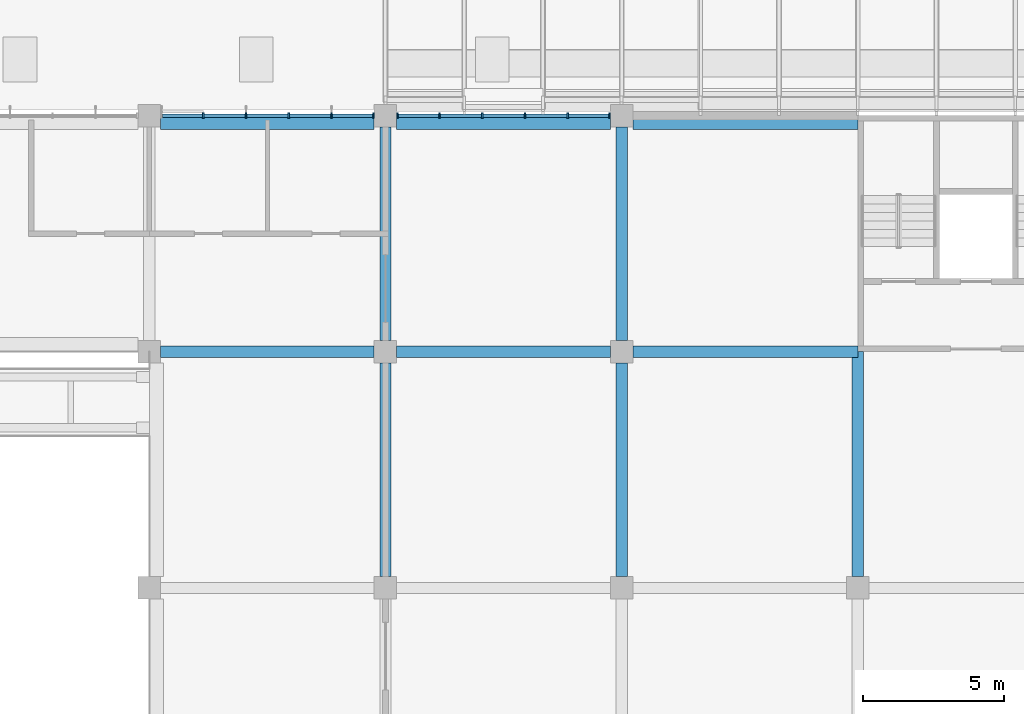
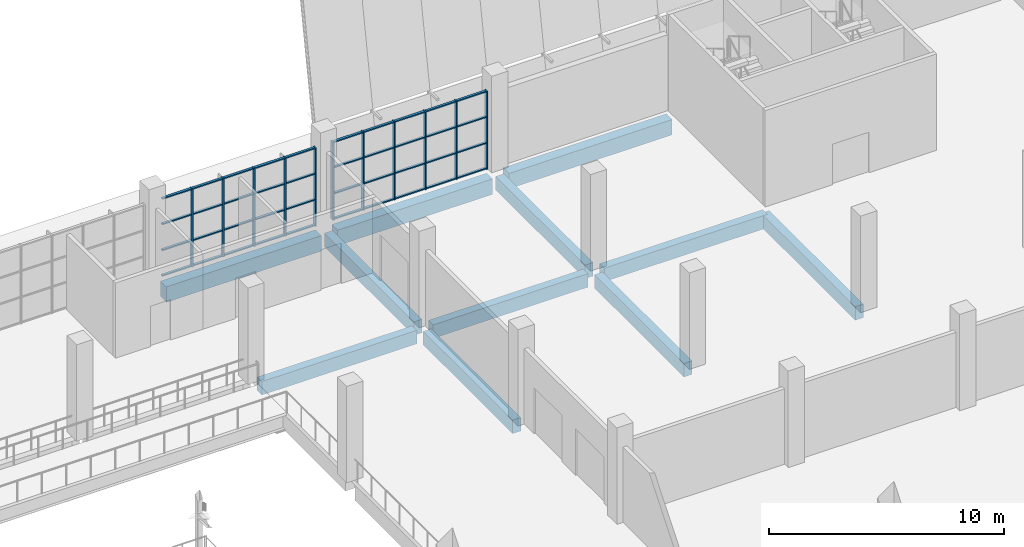
# One storey, part 18 of 101: 51 members, 11 beams, 2 elements without a shape of their own.
"""IFC4 building model written with IfcOpenShell, lengths in metres."""

import ifcopenshell
import ifcopenshell.guid

model = None  # the IFC model being written
_history = None  # IfcOwnerHistory: only IFC2X3 demands one
_inside = {}  # id of a spatial element -> (the spatial element, [elements in it])
_under = {}  # id of a project, library or spatial element -> (it, [spatial elements below it])
_declared = {}  # id of a project -> (the project, [libraries it declares])
_typed = {}  # id of a type object -> (the type object, [elements of that type])
_made_of = {}  # id of a material, layer set ... -> (it, [elements and type objects made of it])


def new_model(schema):
    """Start an empty IFC model of exactly this schema.

    Asked for "IFC4X3", IfcOpenShell would pick the latest addendum, in which some entities
    have other attributes; the version numbers below select the first issue.
    IFC2X3 requires an IfcOwnerHistory on every rooted entity: one is made here for all.
    """
    global model, _history
    if schema == "IFC4X3":
        model = ifcopenshell.file(schema_version=(4, 3, 0, 0))
    else:
        model = ifcopenshell.file(schema=schema)
    _inside.clear()
    _under.clear()
    _declared.clear()
    _typed.clear()
    _made_of.clear()
    _history = None
    if model.schema == "IFC2X3":
        org = make("IfcOrganization", Name="unknown")
        user = make(
            "IfcPersonAndOrganization",
            ThePerson=make("IfcPerson", FamilyName="unknown"),
            TheOrganization=org,
        )
        app = make(
            "IfcApplication",
            ApplicationDeveloper=org,
            Version="unknown",
            ApplicationFullName="unknown",
            ApplicationIdentifier="unknown",
        )
        _history = make(
            "IfcOwnerHistory",
            OwningUser=user,
            OwningApplication=app,
            ChangeAction="ADDED",
            CreationDate=0,
        )
    return model


def make(cls, **values):
    """One entity of the class cls with the attributes given. An attribute that is None is left unset."""
    return model.create_entity(
        cls, **{name: value for name, value in values.items() if value is not None}
    )


def rooted(cls, **values):
    """An entity with a GlobalId (a new one), such as an element, a storey or a relation."""
    return make(cls, GlobalId=ifcopenshell.guid.new(), OwnerHistory=_history, **values)


def si_unit(unit_type, name, prefix=None):
    """IfcSIUnit, for example si_unit("LENGTHUNIT", "METRE", prefix="MILLI")."""
    return make("IfcSIUnit", UnitType=unit_type, Prefix=prefix, Name=name)


def assignment(units):
    """IfcUnitAssignment: the units of a project."""
    return None if units is None else make("IfcUnitAssignment", Units=units)


def point(xyz):
    """IfcCartesianPoint."""
    return None if xyz is None else make("IfcCartesianPoint", Coordinates=xyz)


def direction(xyz):
    """IfcDirection."""
    return None if xyz is None else make("IfcDirection", DirectionRatios=xyz)


def frame(location, z_axis=None, x_axis=None):
    """IfcAxis2Placement3D, a coordinate frame: its origin and axes. An axis left out is left unset."""
    return make(
        "IfcAxis2Placement3D",
        Location=point(location),
        Axis=direction(z_axis),
        RefDirection=direction(x_axis),
    )


def frame_2d(location, x_axis=None):
    """IfcAxis2Placement2D, a coordinate frame in the plane: its origin and x axis."""
    return make(
        "IfcAxis2Placement2D", Location=point(location), RefDirection=direction(x_axis)
    )


def origin():
    """The frame at (0, 0, 0) with its axes left unset."""
    return frame((0.0, 0.0, 0.0))


def origin_2d():
    """The frame at (0, 0) in the plane with its x axis left unset."""
    return frame_2d((0.0, 0.0))


def place(relative_to, where):
    """IfcLocalPlacement: puts the frame where relative to a parent placement (None: the world)."""
    return make(
        "IfcLocalPlacement", PlacementRelTo=relative_to, RelativePlacement=where
    )


def context(
    kind, dimensions, precision=None, world=None, true_north=None, identifier=None
):
    """IfcGeometricRepresentationContext, for example the 3D "Model" context."""
    return make(
        "IfcGeometricRepresentationContext",
        ContextIdentifier=identifier,
        ContextType=kind,
        CoordinateSpaceDimension=dimensions,
        Precision=precision,
        WorldCoordinateSystem=world,
        TrueNorth=true_north,
    )


def subcontext(parent, identifier, kind, view, scale=None):
    """IfcGeometricRepresentationSubContext, for example "Body" below "Model"."""
    return make(
        "IfcGeometricRepresentationSubContext",
        ContextIdentifier=identifier,
        ContextType=kind,
        ParentContext=parent,
        TargetScale=scale,
        TargetView=view,
    )


def project(units=None, contexts=None):
    """IfcProject with its units and contexts."""
    return rooted(
        "IfcProject",
        Name="project",
        RepresentationContexts=contexts,
        UnitsInContext=assignment(units),
    )


def spatial(cls, under=None, at=None, **own):
    """A site, building, storey or space (cls), placed at a placement, below another one or the project."""
    s = rooted(cls, ObjectPlacement=at, **own)
    if under is not None:
        _under.setdefault(under.id(), (under, []))[1].append(s)
    return s


def profile(cls, at=None, kind="AREA", **sizes):
    """A parametric profile (cls). Its sizes go by their IFC names, for example OverallWidth=200.0."""
    return make(cls, ProfileType=kind, Position=at, **sizes)


def rectangle(**sizes):
    """IfcRectangleProfileDef."""
    return profile("IfcRectangleProfileDef", **sizes)


def extrude(swept, where, along, depth):
    """IfcExtrudedAreaSolid: the profile swept, set in the frame where, extruded along a direction by depth."""
    return make(
        "IfcExtrudedAreaSolid",
        SweptArea=swept,
        Position=where,
        ExtrudedDirection=direction(along),
        Depth=depth,
    )


def shape(context_of_items, identifier, shape_type, items):
    """IfcShapeRepresentation: the items that make up one representation, for example the "Body"."""
    return make(
        "IfcShapeRepresentation",
        ContextOfItems=context_of_items,
        RepresentationIdentifier=identifier,
        RepresentationType=shape_type,
        Items=items,
    )


def material(Name=None, Category=None):
    """IfcMaterial."""
    return make("IfcMaterial", Name=Name, Category=Category)


def material_profile(
    of_material, cross_section, Name=None, Category=None, Priority=None
):
    """IfcMaterialProfile: a cross section and its material."""
    return make(
        "IfcMaterialProfile",
        Name=Name,
        Material=of_material,
        Profile=cross_section,
        Priority=Priority,
        Category=Category,
    )


def profile_set(profiles, Name=None, composite=None):
    """IfcMaterialProfileSet."""
    return make(
        "IfcMaterialProfileSet",
        Name=Name,
        MaterialProfiles=profiles,
        CompositeProfile=composite,
    )


def made_of(thing, what):
    """Note that an element or type object is made of a material, layer set ...; save() writes the relation."""
    if what is not None:
        _made_of.setdefault(what.id(), (what, []))[1].append(thing)
    return thing


def type_object(cls, material=None, **own):
    """A type object (cls), such as IfcWallType, which elements share."""
    return made_of(rooted(cls, **own), material)


def element(
    cls,
    number,
    at=None,
    inside=None,
    cuts=None,
    type_object=None,
    material=None,
    context=None,
    identifier="Body",
    shape_type=None,
    held_by="IfcProductDefinitionShape",
    body=None,
    shapes=None,
    **own,
):
    """One element of the class cls, such as IfcWall. Its Tag is "e" and its number.

    at: its placement. inside: the storey or other place that contains it. cuts: it is an
    opening in that element (IfcRelVoidsElement). A single representation is given by context,
    identifier, shape_type and body (its items); several are given by shapes. held_by: the class
    of the entity that holds the representations. save() writes the other relations.
    """
    e = rooted(cls, Tag="e%d" % number, ObjectPlacement=at, **own)
    if body is not None:
        shapes = [shape(context, identifier, shape_type, body)]
    if shapes is not None:
        e.Representation = make(held_by, Representations=shapes)
    if inside is not None:
        _inside.setdefault(inside.id(), (inside, []))[1].append(e)
    if cuts is not None:
        rooted(
            "IfcRelVoidsElement", RelatingBuildingElement=cuts, RelatedOpeningElement=e
        )
    if type_object is not None:
        _typed.setdefault(type_object.id(), (type_object, []))[1].append(e)
    return made_of(e, material)


def aggregate(whole, parts):
    """IfcRelAggregates: a whole, such as a stair, and the parts it consists of."""
    return rooted("IfcRelAggregates", RelatingObject=whole, RelatedObjects=parts)


def save(model, path):
    """Write the relations noted so far, then the file.

    IfcRelAggregates (storeys below a building ...), IfcRelContainedInSpatialStructure (elements
    in a storey), IfcRelDefinesByType, IfcRelAssociatesMaterial and IfcRelDeclares: one each for
    every whole, place, type object, material and project.
    """
    for whole, parts in _under.values():
        aggregate(whole, parts)
    for where, things in _inside.values():
        rooted(
            "IfcRelContainedInSpatialStructure",
            RelatedElements=things,
            RelatingStructure=where,
        )
    for kind, things in _typed.values():
        rooted("IfcRelDefinesByType", RelatedObjects=things, RelatingType=kind)
    for what, things in _made_of.values():
        rooted("IfcRelAssociatesMaterial", RelatedObjects=things, RelatingMaterial=what)
    for by, libraries in _declared.values():
        rooted("IfcRelDeclares", RelatingContext=by, RelatedDefinitions=libraries)
    model.write(path)


model = new_model("IFC4")

# Units and contexts
model_context = context("Model", 3, precision=1e-05, world=origin(), true_north=direction((0.0, 1.0)))
body_context = subcontext(model_context, "Body", "Model", "MODEL_VIEW")
ifc_project = project(units=[si_unit("LENGTHUNIT", "METRE"), si_unit("AREAUNIT", "SQUARE_METRE"), si_unit("VOLUMEUNIT", "CUBIC_METRE"), si_unit("PLANEANGLEUNIT", "RADIAN"), si_unit("MASSUNIT", "GRAM", prefix="KILO")], contexts=[model_context])

# Site, building, storey
site_placement = place(None, origin())
site = spatial("IfcSite", under=ifc_project, at=site_placement, CompositionType="ELEMENT")
building_placement = place(site_placement, origin())
building = spatial("IfcBuilding", under=site, at=building_placement, Name="Almond Square Museum", CompositionType="ELEMENT")
storey_placement = place(building_placement, frame((0.0, 0.0, 5.5)))
storey = spatial("IfcBuildingStorey", under=building, at=storey_placement, Name="L01", CompositionType="ELEMENT", Elevation=5.5)

# Curtain wall, members
ifc_material_1 = material(Name="Aluminium and laminated glass", Category="aluminium")
curtain_wall_type = type_object("IfcCurtainWallType", Name="Unitised curtain wall 1500 module", PredefinedType="NOTDEFINED", material=ifc_material_1)
curtain_wall_1_placement = place(storey_placement, origin())
curtain_wall_1 = element("IfcCurtainWall", 1, at=curtain_wall_1_placement, inside=storey, type_object=curtain_wall_type, Name="Curtain wall CW-07", PredefinedType="NOTDEFINED")
ifc_material_2 = material(Name="Anodised aluminium", Category="aluminium")
ifc_material_profile_1 = material_profile(ifc_material_2, rectangle(XDim=0.199951171875, YDim=0.06005859375, at=origin_2d()))
ifc_profile_set_1 = profile_set([ifc_material_profile_1], Name="Anodised aluminium")
member_type_1 = type_object("IfcMemberType", Name="Aluminium mullion 60 x 200", PredefinedType="MULLION", material=ifc_profile_set_1)
member_1_placement = place(storey_placement, frame((107.22998046875, 109.199951171875, 0.0), z_axis=(0.0, 0.0, 1.0), x_axis=(0.0, 1.0, 0.0)))
member_1 = element("IfcMember", 2, at=member_1_placement, type_object=member_type_1, Name="CW-07 mullion 1", PredefinedType="MULLION", context=body_context, shape_type="SweptSolid", body=[
    extrude(rectangle(XDim=0.199951171875, YDim=0.06005859375, at=origin_2d()), origin(), (0.0, 0.0, 1.0), 4.050048828125),
])
member_2_placement = place(storey_placement, frame((108.719970703125, 109.199951171875, 0.0), z_axis=(0.0, 0.0, 1.0), x_axis=(0.0, 1.0, 0.0)))
member_2 = element("IfcMember", 3, at=member_2_placement, type_object=member_type_1, Name="CW-07 mullion 2", PredefinedType="MULLION", context=body_context, shape_type="SweptSolid", body=[
    extrude(rectangle(XDim=0.199951171875, YDim=0.06005859375, at=origin_2d()), origin(), (0.0, 0.0, 1.0), 4.050048828125),
])
member_3_placement = place(storey_placement, frame((110.239990234375, 109.199951171875, 0.0), z_axis=(0.0, 0.0, 1.0), x_axis=(0.0, 1.0, 0.0)))
member_3 = element("IfcMember", 4, at=member_3_placement, type_object=member_type_1, Name="CW-07 mullion 3", PredefinedType="MULLION", context=body_context, shape_type="SweptSolid", body=[
    extrude(rectangle(XDim=0.199951171875, YDim=0.06005859375, at=origin_2d()), origin(), (0.0, 0.0, 1.0), 4.050048828125),
])
member_4_placement = place(storey_placement, frame((111.760009765625, 109.199951171875, 0.0), z_axis=(0.0, 0.0, 1.0), x_axis=(0.0, 1.0, 0.0)))
member_4 = element("IfcMember", 5, at=member_4_placement, type_object=member_type_1, Name="CW-07 mullion 4", PredefinedType="MULLION", context=body_context, shape_type="SweptSolid", body=[
    extrude(rectangle(XDim=0.199951171875, YDim=0.06005859375, at=origin_2d()), origin(), (0.0, 0.0, 1.0), 4.050048828125),
])
member_5_placement = place(storey_placement, frame((113.280029296875, 109.199951171875, 0.0), z_axis=(0.0, 0.0, 1.0), x_axis=(0.0, 1.0, 0.0)))
member_5 = element("IfcMember", 6, at=member_5_placement, type_object=member_type_1, Name="CW-07 mullion 5", PredefinedType="MULLION", context=body_context, shape_type="SweptSolid", body=[
    extrude(rectangle(XDim=0.199951171875, YDim=0.06005859375, at=origin_2d()), origin(), (0.0, 0.0, 1.0), 4.050048828125),
])
member_6_placement = place(storey_placement, frame((114.77001953125, 109.199951171875, 0.0), z_axis=(0.0, 0.0, 1.0), x_axis=(0.0, 1.0, 0.0)))
member_6 = element("IfcMember", 7, at=member_6_placement, type_object=member_type_1, Name="CW-07 mullion 6", PredefinedType="MULLION", context=body_context, shape_type="SweptSolid", body=[
    extrude(rectangle(XDim=0.199951171875, YDim=0.06005859375, at=origin_2d()), origin(), (0.0, 0.0, 1.0), 4.050048828125),
])

curtain_wall_2_placement = place(storey_placement, origin())
curtain_wall_2 = element("IfcCurtainWall", 8, at=curtain_wall_2_placement, inside=storey, type_object=curtain_wall_type, Name="Curtain wall CW-08", PredefinedType="NOTDEFINED")
member_7_placement = place(storey_placement, frame((100.320068359375, 109.199951171875, 0.0), z_axis=(0.0, 0.0, 1.0), x_axis=(0.0, 1.0, 0.0)))
member_7 = element("IfcMember", 9, at=member_7_placement, type_object=member_type_1, Name="CW-08 mullion 2", PredefinedType="MULLION", context=body_context, shape_type="SweptSolid", body=[
    extrude(rectangle(XDim=0.199951171875, YDim=0.06005859375, at=origin_2d()), origin(), (0.0, 0.0, 1.0), 4.050048828125),
])
member_8_placement = place(storey_placement, frame((101.840087890625, 109.199951171875, 0.0), z_axis=(0.0, 0.0, 1.0), x_axis=(0.0, 1.0, 0.0)))
member_8 = element("IfcMember", 10, at=member_8_placement, type_object=member_type_1, Name="CW-08 mullion 3", PredefinedType="MULLION", context=body_context, shape_type="SweptSolid", body=[
    extrude(rectangle(XDim=0.199951171875, YDim=0.06005859375, at=origin_2d()), origin(), (0.0, 0.0, 1.0), 4.050048828125),
])
member_9_placement = place(storey_placement, frame((103.360107421875, 109.199951171875, 0.0), z_axis=(0.0, 0.0, 1.0), x_axis=(0.0, 1.0, 0.0)))
member_9 = element("IfcMember", 11, at=member_9_placement, type_object=member_type_1, Name="CW-08 mullion 4", PredefinedType="MULLION", context=body_context, shape_type="SweptSolid", body=[
    extrude(rectangle(XDim=0.199951171875, YDim=0.06005859375, at=origin_2d()), origin(), (0.0, 0.0, 1.0), 4.050048828125),
])
member_10_placement = place(storey_placement, frame((104.8798828125, 109.199951171875, 0.0), z_axis=(0.0, 0.0, 1.0), x_axis=(0.0, 1.0, 0.0)))
member_10 = element("IfcMember", 12, at=member_10_placement, type_object=member_type_1, Name="CW-08 mullion 5", PredefinedType="MULLION", context=body_context, shape_type="SweptSolid", body=[
    extrude(rectangle(XDim=0.199951171875, YDim=0.06005859375, at=origin_2d()), origin(), (0.0, 0.0, 1.0), 4.050048828125),
])
member_11_placement = place(storey_placement, frame((106.3701171875, 109.199951171875, 0.0), z_axis=(0.0, 0.0, 1.0), x_axis=(0.0, 1.0, 0.0)))
member_11 = element("IfcMember", 13, at=member_11_placement, type_object=member_type_1, Name="CW-08 mullion 6", PredefinedType="MULLION", context=body_context, shape_type="SweptSolid", body=[
    extrude(rectangle(XDim=0.199951171875, YDim=0.06005859375, at=origin_2d()), origin(), (0.0, 0.0, 1.0), 4.050048828125),
])

# Member
ifc_material_3 = material(Name="Anodised aluminium", Category="aluminium")
ifc_material_profile_2 = material_profile(ifc_material_3, rectangle(XDim=0.1201171875, YDim=0.06005859375, at=origin_2d()))
ifc_profile_set_2 = profile_set([ifc_material_profile_2], Name="Anodised aluminium")
member_type_2 = type_object("IfcMemberType", Name="Aluminium transom 60 x 120", PredefinedType="USERDEFINED", material=ifc_profile_set_2)
member_12_placement = place(storey_placement, frame((107.260009765625, 109.199951171875, 0.030029296875), z_axis=(1.0, 0.0, 0.0), x_axis=(0.0, 1.0, 0.0)))
member_12 = element("IfcMember", 14, at=member_12_placement, type_object=member_type_2, Name="CW-07 transom 1.1", ObjectType="TRANSOM", PredefinedType="USERDEFINED", context=body_context, shape_type="SweptSolid", body=[
    extrude(rectangle(XDim=0.1201171875, YDim=0.06005859375, at=origin_2d()), origin(), (0.0, 0.0, 1.0), 1.429931640625),
])

member_13_placement = place(storey_placement, frame((107.260009765625, 109.199951171875, 1.35009765625), z_axis=(1.0, 0.0, 0.0), x_axis=(0.0, 1.0, 0.0)))
member_13 = element("IfcMember", 15, at=member_13_placement, type_object=member_type_2, Name="CW-07 transom 1.2", ObjectType="TRANSOM", PredefinedType="USERDEFINED", context=body_context, shape_type="SweptSolid", body=[
    extrude(rectangle(XDim=0.1201171875, YDim=0.06005859375, at=origin_2d()), origin(), (0.0, 0.0, 1.0), 1.429931640625),
])

member_14_placement = place(storey_placement, frame((107.260009765625, 109.199951171875, 2.699951171875), z_axis=(1.0, 0.0, 0.0), x_axis=(0.0, 1.0, 0.0)))
member_14 = element("IfcMember", 16, at=member_14_placement, type_object=member_type_2, Name="CW-07 transom 1.3", ObjectType="TRANSOM", PredefinedType="USERDEFINED", context=body_context, shape_type="SweptSolid", body=[
    extrude(rectangle(XDim=0.1201171875, YDim=0.06005859375, at=origin_2d()), origin(), (0.0, 0.0, 1.0), 1.429931640625),
])

member_15_placement = place(storey_placement, frame((107.260009765625, 109.199951171875, 4.02001953125), z_axis=(1.0, 0.0, 0.0), x_axis=(0.0, 1.0, 0.0)))
member_15 = element("IfcMember", 17, at=member_15_placement, type_object=member_type_2, Name="CW-07 transom 1.4", ObjectType="TRANSOM", PredefinedType="USERDEFINED", context=body_context, shape_type="SweptSolid", body=[
    extrude(rectangle(XDim=0.1201171875, YDim=0.06005859375, at=origin_2d()), origin(), (0.0, 0.0, 1.0), 1.429931640625),
])

member_16_placement = place(storey_placement, frame((108.75, 109.199951171875, 0.030029296875), z_axis=(1.0, 0.0, 0.0), x_axis=(0.0, 1.0, 0.0)))
member_16 = element("IfcMember", 18, at=member_16_placement, type_object=member_type_2, Name="CW-07 transom 2.1", ObjectType="TRANSOM", PredefinedType="USERDEFINED", context=body_context, shape_type="SweptSolid", body=[
    extrude(rectangle(XDim=0.1201171875, YDim=0.06005859375, at=origin_2d()), origin(), (0.0, 0.0, 1.0), 1.4599609375),
])

member_17_placement = place(storey_placement, frame((108.75, 109.199951171875, 1.35009765625), z_axis=(1.0, 0.0, 0.0), x_axis=(0.0, 1.0, 0.0)))
member_17 = element("IfcMember", 19, at=member_17_placement, type_object=member_type_2, Name="CW-07 transom 2.2", ObjectType="TRANSOM", PredefinedType="USERDEFINED", context=body_context, shape_type="SweptSolid", body=[
    extrude(rectangle(XDim=0.1201171875, YDim=0.06005859375, at=origin_2d()), origin(), (0.0, 0.0, 1.0), 1.4599609375),
])

member_18_placement = place(storey_placement, frame((108.75, 109.199951171875, 2.699951171875), z_axis=(1.0, 0.0, 0.0), x_axis=(0.0, 1.0, 0.0)))
member_18 = element("IfcMember", 20, at=member_18_placement, type_object=member_type_2, Name="CW-07 transom 2.3", ObjectType="TRANSOM", PredefinedType="USERDEFINED", context=body_context, shape_type="SweptSolid", body=[
    extrude(rectangle(XDim=0.1201171875, YDim=0.06005859375, at=origin_2d()), origin(), (0.0, 0.0, 1.0), 1.4599609375),
])

member_19_placement = place(storey_placement, frame((108.75, 109.199951171875, 4.02001953125), z_axis=(1.0, 0.0, 0.0), x_axis=(0.0, 1.0, 0.0)))
member_19 = element("IfcMember", 21, at=member_19_placement, type_object=member_type_2, Name="CW-07 transom 2.4", ObjectType="TRANSOM", PredefinedType="USERDEFINED", context=body_context, shape_type="SweptSolid", body=[
    extrude(rectangle(XDim=0.1201171875, YDim=0.06005859375, at=origin_2d()), origin(), (0.0, 0.0, 1.0), 1.4599609375),
])

member_20_placement = place(storey_placement, frame((110.27001953125, 109.199951171875, 0.030029296875), z_axis=(1.0, 0.0, 0.0), x_axis=(0.0, 1.0, 0.0)))
member_20 = element("IfcMember", 22, at=member_20_placement, type_object=member_type_2, Name="CW-07 transom 3.1", ObjectType="TRANSOM", PredefinedType="USERDEFINED", context=body_context, shape_type="SweptSolid", body=[
    extrude(rectangle(XDim=0.1201171875, YDim=0.06005859375, at=origin_2d()), origin(), (0.0, 0.0, 1.0), 1.4599609375),
])

member_21_placement = place(storey_placement, frame((110.27001953125, 109.199951171875, 1.35009765625), z_axis=(1.0, 0.0, 0.0), x_axis=(0.0, 1.0, 0.0)))
member_21 = element("IfcMember", 23, at=member_21_placement, type_object=member_type_2, Name="CW-07 transom 3.2", ObjectType="TRANSOM", PredefinedType="USERDEFINED", context=body_context, shape_type="SweptSolid", body=[
    extrude(rectangle(XDim=0.1201171875, YDim=0.06005859375, at=origin_2d()), origin(), (0.0, 0.0, 1.0), 1.4599609375),
])

member_22_placement = place(storey_placement, frame((110.27001953125, 109.199951171875, 2.699951171875), z_axis=(1.0, 0.0, 0.0), x_axis=(0.0, 1.0, 0.0)))
member_22 = element("IfcMember", 24, at=member_22_placement, type_object=member_type_2, Name="CW-07 transom 3.3", ObjectType="TRANSOM", PredefinedType="USERDEFINED", context=body_context, shape_type="SweptSolid", body=[
    extrude(rectangle(XDim=0.1201171875, YDim=0.06005859375, at=origin_2d()), origin(), (0.0, 0.0, 1.0), 1.4599609375),
])

member_23_placement = place(storey_placement, frame((110.27001953125, 109.199951171875, 4.02001953125), z_axis=(1.0, 0.0, 0.0), x_axis=(0.0, 1.0, 0.0)))
member_23 = element("IfcMember", 25, at=member_23_placement, type_object=member_type_2, Name="CW-07 transom 3.4", ObjectType="TRANSOM", PredefinedType="USERDEFINED", context=body_context, shape_type="SweptSolid", body=[
    extrude(rectangle(XDim=0.1201171875, YDim=0.06005859375, at=origin_2d()), origin(), (0.0, 0.0, 1.0), 1.4599609375),
])

member_24_placement = place(storey_placement, frame((111.7900390625, 109.199951171875, 0.030029296875), z_axis=(1.0, 0.0, 0.0), x_axis=(0.0, 1.0, 0.0)))
member_24 = element("IfcMember", 26, at=member_24_placement, type_object=member_type_2, Name="CW-07 transom 4.1", ObjectType="TRANSOM", PredefinedType="USERDEFINED", context=body_context, shape_type="SweptSolid", body=[
    extrude(rectangle(XDim=0.1201171875, YDim=0.06005859375, at=origin_2d()), origin(), (0.0, 0.0, 1.0), 1.4599609375),
])

member_25_placement = place(storey_placement, frame((111.7900390625, 109.199951171875, 1.35009765625), z_axis=(1.0, 0.0, 0.0), x_axis=(0.0, 1.0, 0.0)))
member_25 = element("IfcMember", 27, at=member_25_placement, type_object=member_type_2, Name="CW-07 transom 4.2", ObjectType="TRANSOM", PredefinedType="USERDEFINED", context=body_context, shape_type="SweptSolid", body=[
    extrude(rectangle(XDim=0.1201171875, YDim=0.06005859375, at=origin_2d()), origin(), (0.0, 0.0, 1.0), 1.4599609375),
])

member_26_placement = place(storey_placement, frame((111.7900390625, 109.199951171875, 2.699951171875), z_axis=(1.0, 0.0, 0.0), x_axis=(0.0, 1.0, 0.0)))
member_26 = element("IfcMember", 28, at=member_26_placement, type_object=member_type_2, Name="CW-07 transom 4.3", ObjectType="TRANSOM", PredefinedType="USERDEFINED", context=body_context, shape_type="SweptSolid", body=[
    extrude(rectangle(XDim=0.1201171875, YDim=0.06005859375, at=origin_2d()), origin(), (0.0, 0.0, 1.0), 1.4599609375),
])

member_27_placement = place(storey_placement, frame((111.7900390625, 109.199951171875, 4.02001953125), z_axis=(1.0, 0.0, 0.0), x_axis=(0.0, 1.0, 0.0)))
member_27 = element("IfcMember", 29, at=member_27_placement, type_object=member_type_2, Name="CW-07 transom 4.4", ObjectType="TRANSOM", PredefinedType="USERDEFINED", context=body_context, shape_type="SweptSolid", body=[
    extrude(rectangle(XDim=0.1201171875, YDim=0.06005859375, at=origin_2d()), origin(), (0.0, 0.0, 1.0), 1.4599609375),
])

member_28_placement = place(storey_placement, frame((113.31005859375, 109.199951171875, 0.030029296875), z_axis=(1.0, 0.0, 0.0), x_axis=(0.0, 1.0, 0.0)))
member_28 = element("IfcMember", 30, at=member_28_placement, type_object=member_type_2, Name="CW-07 transom 5.1", ObjectType="TRANSOM", PredefinedType="USERDEFINED", context=body_context, shape_type="SweptSolid", body=[
    extrude(rectangle(XDim=0.1201171875, YDim=0.06005859375, at=origin_2d()), origin(), (0.0, 0.0, 1.0), 1.429931640625),
])

member_29_placement = place(storey_placement, frame((113.31005859375, 109.199951171875, 1.35009765625), z_axis=(1.0, 0.0, 0.0), x_axis=(0.0, 1.0, 0.0)))
member_29 = element("IfcMember", 31, at=member_29_placement, type_object=member_type_2, Name="CW-07 transom 5.2", ObjectType="TRANSOM", PredefinedType="USERDEFINED", context=body_context, shape_type="SweptSolid", body=[
    extrude(rectangle(XDim=0.1201171875, YDim=0.06005859375, at=origin_2d()), origin(), (0.0, 0.0, 1.0), 1.429931640625),
])

member_30_placement = place(storey_placement, frame((113.31005859375, 109.199951171875, 2.699951171875), z_axis=(1.0, 0.0, 0.0), x_axis=(0.0, 1.0, 0.0)))
member_30 = element("IfcMember", 32, at=member_30_placement, type_object=member_type_2, Name="CW-07 transom 5.3", ObjectType="TRANSOM", PredefinedType="USERDEFINED", context=body_context, shape_type="SweptSolid", body=[
    extrude(rectangle(XDim=0.1201171875, YDim=0.06005859375, at=origin_2d()), origin(), (0.0, 0.0, 1.0), 1.429931640625),
])

member_31_placement = place(storey_placement, frame((113.31005859375, 109.199951171875, 4.02001953125), z_axis=(1.0, 0.0, 0.0), x_axis=(0.0, 1.0, 0.0)))
member_31 = element("IfcMember", 33, at=member_31_placement, type_object=member_type_2, Name="CW-07 transom 5.4", ObjectType="TRANSOM", PredefinedType="USERDEFINED", context=body_context, shape_type="SweptSolid", body=[
    extrude(rectangle(XDim=0.1201171875, YDim=0.06005859375, at=origin_2d()), origin(), (0.0, 0.0, 1.0), 1.429931640625),
])

aggregate(curtain_wall_1, [member_1, member_2, member_3, member_4, member_5, member_6, member_12, member_13, member_14, member_15, member_16, member_17, member_18, member_19, member_20, member_21, member_22, member_23, member_24, member_25, member_26, member_27, member_28, member_29, member_30, member_31])

member_32_placement = place(storey_placement, frame((98.860107421875, 109.199951171875, 0.030029296875), z_axis=(1.0, 0.0, 0.0), x_axis=(0.0, 1.0, 0.0)))
member_32 = element("IfcMember", 34, at=member_32_placement, type_object=member_type_2, Name="CW-08 transom 1.1", ObjectType="TRANSOM", PredefinedType="USERDEFINED", context=body_context, shape_type="SweptSolid", body=[
    extrude(rectangle(XDim=0.1201171875, YDim=0.06005859375, at=origin_2d()), origin(), (0.0, 0.0, 1.0), 1.429931640625),
])

member_33_placement = place(storey_placement, frame((98.860107421875, 109.199951171875, 1.35009765625), z_axis=(1.0, 0.0, 0.0), x_axis=(0.0, 1.0, 0.0)))
member_33 = element("IfcMember", 35, at=member_33_placement, type_object=member_type_2, Name="CW-08 transom 1.2", ObjectType="TRANSOM", PredefinedType="USERDEFINED", context=body_context, shape_type="SweptSolid", body=[
    extrude(rectangle(XDim=0.1201171875, YDim=0.06005859375, at=origin_2d()), origin(), (0.0, 0.0, 1.0), 1.429931640625),
])

member_34_placement = place(storey_placement, frame((98.860107421875, 109.199951171875, 2.699951171875), z_axis=(1.0, 0.0, 0.0), x_axis=(0.0, 1.0, 0.0)))
member_34 = element("IfcMember", 36, at=member_34_placement, type_object=member_type_2, Name="CW-08 transom 1.3", ObjectType="TRANSOM", PredefinedType="USERDEFINED", context=body_context, shape_type="SweptSolid", body=[
    extrude(rectangle(XDim=0.1201171875, YDim=0.06005859375, at=origin_2d()), origin(), (0.0, 0.0, 1.0), 1.429931640625),
])

member_35_placement = place(storey_placement, frame((98.860107421875, 109.199951171875, 4.02001953125), z_axis=(1.0, 0.0, 0.0), x_axis=(0.0, 1.0, 0.0)))
member_35 = element("IfcMember", 37, at=member_35_placement, type_object=member_type_2, Name="CW-08 transom 1.4", ObjectType="TRANSOM", PredefinedType="USERDEFINED", context=body_context, shape_type="SweptSolid", body=[
    extrude(rectangle(XDim=0.1201171875, YDim=0.06005859375, at=origin_2d()), origin(), (0.0, 0.0, 1.0), 1.429931640625),
])

member_36_placement = place(storey_placement, frame((100.35009765625, 109.199951171875, 0.030029296875), z_axis=(1.0, 0.0, 0.0), x_axis=(0.0, 1.0, 0.0)))
member_36 = element("IfcMember", 38, at=member_36_placement, type_object=member_type_2, Name="CW-08 transom 2.1", ObjectType="TRANSOM", PredefinedType="USERDEFINED", context=body_context, shape_type="SweptSolid", body=[
    extrude(rectangle(XDim=0.1201171875, YDim=0.06005859375, at=origin_2d()), origin(), (0.0, 0.0, 1.0), 1.4599609375),
])

member_37_placement = place(storey_placement, frame((100.35009765625, 109.199951171875, 1.35009765625), z_axis=(1.0, 0.0, 0.0), x_axis=(0.0, 1.0, 0.0)))
member_37 = element("IfcMember", 39, at=member_37_placement, type_object=member_type_2, Name="CW-08 transom 2.2", ObjectType="TRANSOM", PredefinedType="USERDEFINED", context=body_context, shape_type="SweptSolid", body=[
    extrude(rectangle(XDim=0.1201171875, YDim=0.06005859375, at=origin_2d()), origin(), (0.0, 0.0, 1.0), 1.4599609375),
])

member_38_placement = place(storey_placement, frame((100.35009765625, 109.199951171875, 2.699951171875), z_axis=(1.0, 0.0, 0.0), x_axis=(0.0, 1.0, 0.0)))
member_38 = element("IfcMember", 40, at=member_38_placement, type_object=member_type_2, Name="CW-08 transom 2.3", ObjectType="TRANSOM", PredefinedType="USERDEFINED", context=body_context, shape_type="SweptSolid", body=[
    extrude(rectangle(XDim=0.1201171875, YDim=0.06005859375, at=origin_2d()), origin(), (0.0, 0.0, 1.0), 1.4599609375),
])

member_39_placement = place(storey_placement, frame((100.35009765625, 109.199951171875, 4.02001953125), z_axis=(1.0, 0.0, 0.0), x_axis=(0.0, 1.0, 0.0)))
member_39 = element("IfcMember", 41, at=member_39_placement, type_object=member_type_2, Name="CW-08 transom 2.4", ObjectType="TRANSOM", PredefinedType="USERDEFINED", context=body_context, shape_type="SweptSolid", body=[
    extrude(rectangle(XDim=0.1201171875, YDim=0.06005859375, at=origin_2d()), origin(), (0.0, 0.0, 1.0), 1.4599609375),
])

member_40_placement = place(storey_placement, frame((101.8701171875, 109.199951171875, 0.030029296875), z_axis=(1.0, 0.0, 0.0), x_axis=(0.0, 1.0, 0.0)))
member_40 = element("IfcMember", 42, at=member_40_placement, type_object=member_type_2, Name="CW-08 transom 3.1", ObjectType="TRANSOM", PredefinedType="USERDEFINED", context=body_context, shape_type="SweptSolid", body=[
    extrude(rectangle(XDim=0.1201171875, YDim=0.06005859375, at=origin_2d()), origin(), (0.0, 0.0, 1.0), 1.4599609375),
])

member_41_placement = place(storey_placement, frame((101.8701171875, 109.199951171875, 1.35009765625), z_axis=(1.0, 0.0, 0.0), x_axis=(0.0, 1.0, 0.0)))
member_41 = element("IfcMember", 43, at=member_41_placement, type_object=member_type_2, Name="CW-08 transom 3.2", ObjectType="TRANSOM", PredefinedType="USERDEFINED", context=body_context, shape_type="SweptSolid", body=[
    extrude(rectangle(XDim=0.1201171875, YDim=0.06005859375, at=origin_2d()), origin(), (0.0, 0.0, 1.0), 1.4599609375),
])

member_42_placement = place(storey_placement, frame((101.8701171875, 109.199951171875, 2.699951171875), z_axis=(1.0, 0.0, 0.0), x_axis=(0.0, 1.0, 0.0)))
member_42 = element("IfcMember", 44, at=member_42_placement, type_object=member_type_2, Name="CW-08 transom 3.3", ObjectType="TRANSOM", PredefinedType="USERDEFINED", context=body_context, shape_type="SweptSolid", body=[
    extrude(rectangle(XDim=0.1201171875, YDim=0.06005859375, at=origin_2d()), origin(), (0.0, 0.0, 1.0), 1.4599609375),
])

member_43_placement = place(storey_placement, frame((101.8701171875, 109.199951171875, 4.02001953125), z_axis=(1.0, 0.0, 0.0), x_axis=(0.0, 1.0, 0.0)))
member_43 = element("IfcMember", 45, at=member_43_placement, type_object=member_type_2, Name="CW-08 transom 3.4", ObjectType="TRANSOM", PredefinedType="USERDEFINED", context=body_context, shape_type="SweptSolid", body=[
    extrude(rectangle(XDim=0.1201171875, YDim=0.06005859375, at=origin_2d()), origin(), (0.0, 0.0, 1.0), 1.4599609375),
])

member_44_placement = place(storey_placement, frame((103.389892578125, 109.199951171875, 0.030029296875), z_axis=(1.0, 0.0, 0.0), x_axis=(0.0, 1.0, 0.0)))
member_44 = element("IfcMember", 46, at=member_44_placement, type_object=member_type_2, Name="CW-08 transom 4.1", ObjectType="TRANSOM", PredefinedType="USERDEFINED", context=body_context, shape_type="SweptSolid", body=[
    extrude(rectangle(XDim=0.1201171875, YDim=0.06005859375, at=origin_2d()), origin(), (0.0, 0.0, 1.0), 1.460205078125),
])

member_45_placement = place(storey_placement, frame((103.389892578125, 109.199951171875, 1.35009765625), z_axis=(1.0, 0.0, 0.0), x_axis=(0.0, 1.0, 0.0)))
member_45 = element("IfcMember", 47, at=member_45_placement, type_object=member_type_2, Name="CW-08 transom 4.2", ObjectType="TRANSOM", PredefinedType="USERDEFINED", context=body_context, shape_type="SweptSolid", body=[
    extrude(rectangle(XDim=0.1201171875, YDim=0.06005859375, at=origin_2d()), origin(), (0.0, 0.0, 1.0), 1.460205078125),
])

member_46_placement = place(storey_placement, frame((103.389892578125, 109.199951171875, 2.699951171875), z_axis=(1.0, 0.0, 0.0), x_axis=(0.0, 1.0, 0.0)))
member_46 = element("IfcMember", 48, at=member_46_placement, type_object=member_type_2, Name="CW-08 transom 4.3", ObjectType="TRANSOM", PredefinedType="USERDEFINED", context=body_context, shape_type="SweptSolid", body=[
    extrude(rectangle(XDim=0.1201171875, YDim=0.06005859375, at=origin_2d()), origin(), (0.0, 0.0, 1.0), 1.460205078125),
])

member_47_placement = place(storey_placement, frame((103.389892578125, 109.199951171875, 4.02001953125), z_axis=(1.0, 0.0, 0.0), x_axis=(0.0, 1.0, 0.0)))
member_47 = element("IfcMember", 49, at=member_47_placement, type_object=member_type_2, Name="CW-08 transom 4.4", ObjectType="TRANSOM", PredefinedType="USERDEFINED", context=body_context, shape_type="SweptSolid", body=[
    extrude(rectangle(XDim=0.1201171875, YDim=0.06005859375, at=origin_2d()), origin(), (0.0, 0.0, 1.0), 1.460205078125),
])

member_48_placement = place(storey_placement, frame((104.909912109375, 109.199951171875, 0.030029296875), z_axis=(1.0, 0.0, 0.0), x_axis=(0.0, 1.0, 0.0)))
member_48 = element("IfcMember", 50, at=member_48_placement, type_object=member_type_2, Name="CW-08 transom 5.1", ObjectType="TRANSOM", PredefinedType="USERDEFINED", context=body_context, shape_type="SweptSolid", body=[
    extrude(rectangle(XDim=0.1201171875, YDim=0.06005859375, at=origin_2d()), origin(), (0.0, 0.0, 1.0), 1.43017578125),
])

member_49_placement = place(storey_placement, frame((104.909912109375, 109.199951171875, 1.35009765625), z_axis=(1.0, 0.0, 0.0), x_axis=(0.0, 1.0, 0.0)))
member_49 = element("IfcMember", 51, at=member_49_placement, type_object=member_type_2, Name="CW-08 transom 5.2", ObjectType="TRANSOM", PredefinedType="USERDEFINED", context=body_context, shape_type="SweptSolid", body=[
    extrude(rectangle(XDim=0.1201171875, YDim=0.06005859375, at=origin_2d()), origin(), (0.0, 0.0, 1.0), 1.43017578125),
])

member_50_placement = place(storey_placement, frame((104.909912109375, 109.199951171875, 2.699951171875), z_axis=(1.0, 0.0, 0.0), x_axis=(0.0, 1.0, 0.0)))
member_50 = element("IfcMember", 52, at=member_50_placement, type_object=member_type_2, Name="CW-08 transom 5.3", ObjectType="TRANSOM", PredefinedType="USERDEFINED", context=body_context, shape_type="SweptSolid", body=[
    extrude(rectangle(XDim=0.1201171875, YDim=0.06005859375, at=origin_2d()), origin(), (0.0, 0.0, 1.0), 1.43017578125),
])

member_51_placement = place(storey_placement, frame((104.909912109375, 109.199951171875, 4.02001953125), z_axis=(1.0, 0.0, 0.0), x_axis=(0.0, 1.0, 0.0)))
member_51 = element("IfcMember", 53, at=member_51_placement, type_object=member_type_2, Name="CW-08 transom 5.4", ObjectType="TRANSOM", PredefinedType="USERDEFINED", context=body_context, shape_type="SweptSolid", body=[
    extrude(rectangle(XDim=0.1201171875, YDim=0.06005859375, at=origin_2d()), origin(), (0.0, 0.0, 1.0), 1.43017578125),
])

aggregate(curtain_wall_2, [member_7, member_8, member_9, member_10, member_11, member_32, member_33, member_34, member_35, member_36, member_37, member_38, member_39, member_40, member_41, member_42, member_43, member_44, member_45, member_46, member_47, member_48, member_49, member_50, member_51])

# Beams
ifc_material_4 = material(Name="Concrete C40/50", Category="concrete")
ifc_material_profile_3 = material_profile(ifc_material_4, rectangle(XDim=0.39990234375, YDim=0.699951171875, at=origin_2d()))
ifc_profile_set_3 = profile_set([ifc_material_profile_3], Name="Concrete C40/50")
beam_type_1 = type_object("IfcBeamType", Name="RC beam 400 x 700 C40/50", PredefinedType="BEAM", material=ifc_profile_set_3)
beam_1_placement = place(storey_placement, frame((98.800048828125, 100.800048828125, -0.60009765625), z_axis=(1.0, 0.0, 0.0), x_axis=(0.0, 1.0, 0.0)))
element("IfcBeam", 54, at=beam_1_placement, inside=storey, type_object=beam_type_1, Name="Beam M 13-14 L01", PredefinedType="BEAM", context=body_context, shape_type="SweptSolid", body=[
    extrude(rectangle(XDim=0.39990234375, YDim=0.699951171875, at=origin_2d()), origin(), (0.0, 0.0, 1.0), 7.599853515625),
])
beam_2_placement = place(storey_placement, frame((107.199951171875, 100.800048828125, -0.60009765625), z_axis=(1.0, 0.0, 0.0), x_axis=(0.0, 1.0, 0.0)))
element("IfcBeam", 55, at=beam_2_placement, inside=storey, type_object=beam_type_1, Name="Beam M 14-15 L01", PredefinedType="BEAM", context=body_context, shape_type="SweptSolid", body=[
    extrude(rectangle(XDim=0.39990234375, YDim=0.699951171875, at=origin_2d()), origin(), (0.0, 0.0, 1.0), 7.60009765625),
])
beam_3_placement = place(storey_placement, frame((115.60009765625, 100.800048828125, -0.60009765625), z_axis=(1.0, 0.0, 0.0), x_axis=(0.0, 1.0, 0.0)))
element("IfcBeam", 56, at=beam_3_placement, inside=storey, type_object=beam_type_1, Name="Beam M 15-16 L01", PredefinedType="BEAM", context=body_context, shape_type="SweptSolid", body=[
    extrude(rectangle(XDim=0.39990234375, YDim=0.699951171875, at=origin_2d()), origin(), (0.0, 0.0, 1.0), 8.0),
])
beam_4_placement = place(storey_placement, frame((106.800048828125, 92.800048828125, -0.60009765625), z_axis=(0.0, 1.0, 0.0), x_axis=(-1.0, 0.0, 0.0)))
element("IfcBeam", 57, at=beam_4_placement, inside=storey, type_object=beam_type_1, Name="Beam 14 L-M L01", PredefinedType="BEAM", context=body_context, shape_type="SweptSolid", body=[
    extrude(rectangle(XDim=0.39990234375, YDim=0.699951171875, at=origin_2d()), origin(), (0.0, 0.0, 1.0), 7.599853515625),
])
beam_5_placement = place(storey_placement, frame((106.800048828125, 101.199951171875, -0.60009765625), z_axis=(0.0, 1.0, 0.0), x_axis=(-1.0, 0.0, 0.0)))
element("IfcBeam", 58, at=beam_5_placement, inside=storey, type_object=beam_type_1, Name="Beam 14 M-N L01", PredefinedType="BEAM", context=body_context, shape_type="SweptSolid", body=[
    extrude(rectangle(XDim=0.39990234375, YDim=0.699951171875, at=origin_2d()), origin(), (0.0, 0.0, 1.0), 7.60009765625),
])
beam_6_placement = place(storey_placement, frame((115.199951171875, 92.800048828125, -0.60009765625), z_axis=(0.0, 1.0, 0.0), x_axis=(-1.0, 0.0, 0.0)))
element("IfcBeam", 59, at=beam_6_placement, inside=storey, type_object=beam_type_1, Name="Beam 15 L-M L01", PredefinedType="BEAM", context=body_context, shape_type="SweptSolid", body=[
    extrude(rectangle(XDim=0.39990234375, YDim=0.699951171875, at=origin_2d()), origin(), (0.0, 0.0, 1.0), 7.599853515625),
])
beam_7_placement = place(storey_placement, frame((115.199951171875, 101.199951171875, -0.60009765625), z_axis=(0.0, 1.0, 0.0), x_axis=(-1.0, 0.0, 0.0)))
element("IfcBeam", 60, at=beam_7_placement, inside=storey, type_object=beam_type_1, Name="Beam 15 M-N L01", PredefinedType="BEAM", context=body_context, shape_type="SweptSolid", body=[
    extrude(rectangle(XDim=0.39990234375, YDim=0.699951171875, at=origin_2d()), origin(), (0.0, 0.0, 1.0), 7.60009765625),
])
beam_8_placement = place(storey_placement, frame((123.60009765625, 92.800048828125, -0.60009765625), z_axis=(0.0, 1.0, 0.0), x_axis=(-1.0, 0.0, 0.0)))
element("IfcBeam", 61, at=beam_8_placement, inside=storey, type_object=beam_type_1, Name="Beam 16 L-M L01", PredefinedType="BEAM", context=body_context, shape_type="SweptSolid", body=[
    extrude(rectangle(XDim=0.39990234375, YDim=0.699951171875, at=origin_2d()), origin(), (0.0, 0.0, 1.0), 8.0),
])
ifc_material_5 = material(Name="Concrete C40/50", Category="concrete")
ifc_material_profile_4 = material_profile(ifc_material_5, rectangle(XDim=0.5, YDim=0.800048828125, at=origin_2d()))
ifc_profile_set_4 = profile_set([ifc_material_profile_4], Name="Concrete C40/50")
beam_type_2 = type_object("IfcBeamType", Name="RC edge beam 500 x 800 C40/50", PredefinedType="BEAM", material=ifc_profile_set_4)
beam_9_placement = place(storey_placement, frame((98.800048828125, 108.949951171875, -0.64990234375), z_axis=(1.0, 0.0, 0.0), x_axis=(0.0, 1.0, 0.0)))
element("IfcBeam", 62, at=beam_9_placement, inside=storey, type_object=beam_type_2, Name="Edge beam N 13-14 L01", PredefinedType="BEAM", context=body_context, shape_type="SweptSolid", body=[
    extrude(rectangle(XDim=0.5, YDim=0.800048828125, at=origin_2d()), origin(), (0.0, 0.0, 1.0), 7.599853515625),
])
beam_10_placement = place(storey_placement, frame((107.199951171875, 108.949951171875, -0.64990234375), z_axis=(1.0, 0.0, 0.0), x_axis=(0.0, 1.0, 0.0)))
element("IfcBeam", 63, at=beam_10_placement, inside=storey, type_object=beam_type_2, Name="Edge beam N 14-15 L01", PredefinedType="BEAM", context=body_context, shape_type="SweptSolid", body=[
    extrude(rectangle(XDim=0.5, YDim=0.800048828125, at=origin_2d()), origin(), (0.0, 0.0, 1.0), 7.60009765625),
])
beam_11_placement = place(storey_placement, frame((115.60009765625, 108.949951171875, -0.64990234375), z_axis=(1.0, 0.0, 0.0), x_axis=(0.0, 1.0, 0.0)))
element("IfcBeam", 64, at=beam_11_placement, inside=storey, type_object=beam_type_2, Name="Edge beam N 15-16 L01", PredefinedType="BEAM", context=body_context, shape_type="SweptSolid", body=[
    extrude(rectangle(XDim=0.5, YDim=0.800048828125, at=origin_2d()), origin(), (0.0, 0.0, 1.0), 8.0),
])

save(model, "model.ifc")
